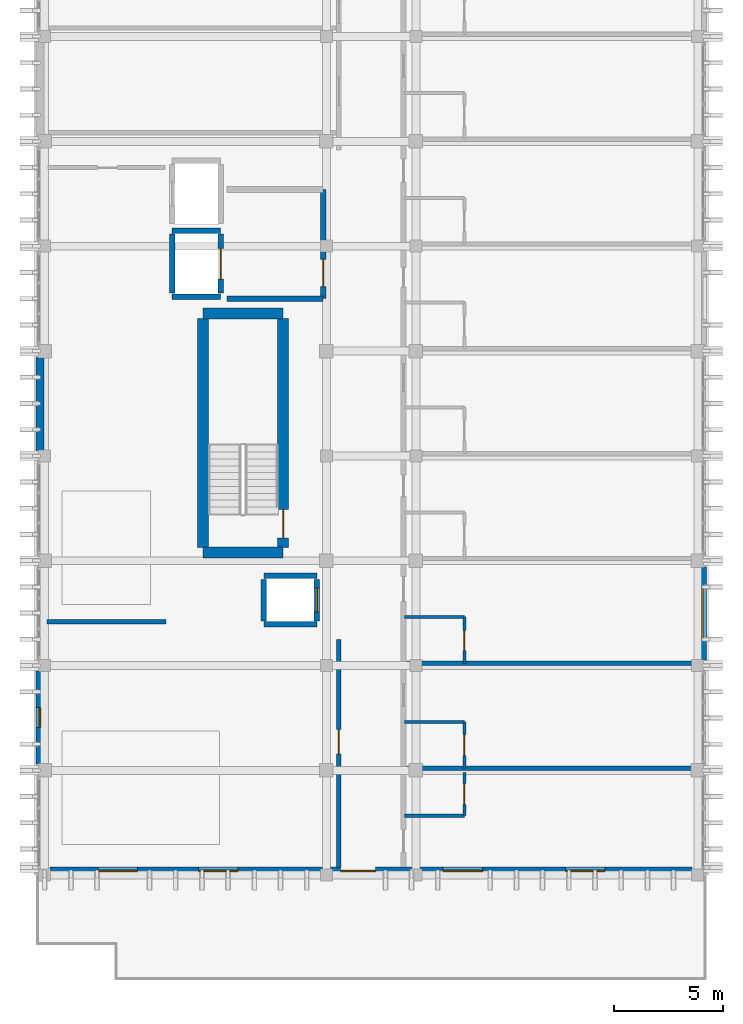
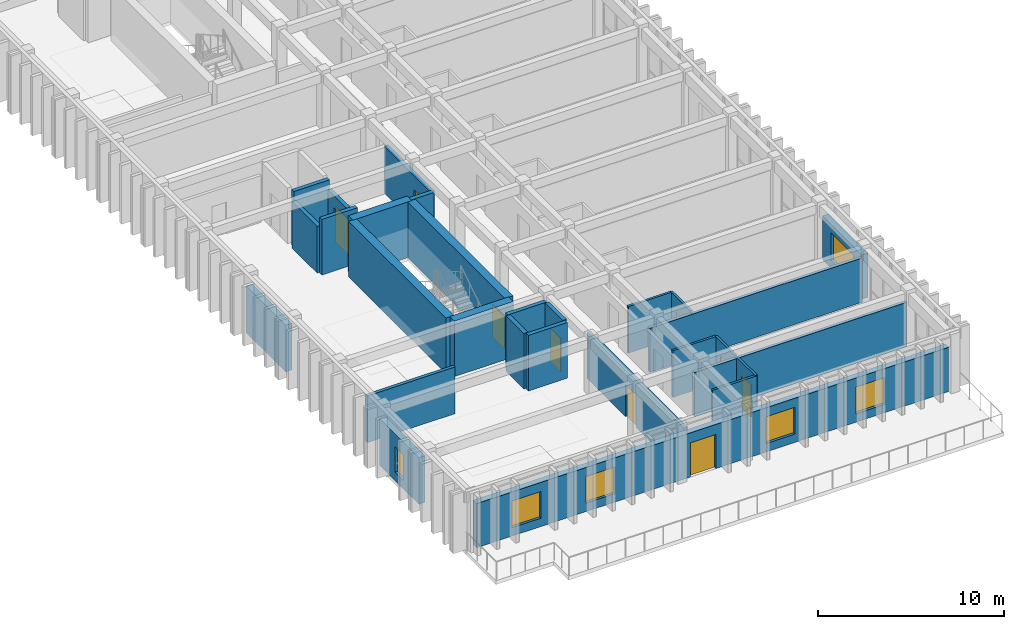
# One storey, part 41 of 50: 28 walls, 9 doors, 6 windows, 15 openings.
"""IFC4 building model written with IfcOpenShell, lengths in metres."""

from ifc_helpers import new_model, si_unit, direction, frame, frame_2d, origin, place, context, subcontext, project, spatial, rectangle, extrude, material, layer, layer_set, type_object, element, fill, save


model = new_model("IFC4")

# Units and contexts
model_context = context("Model", 3, precision=1e-05, world=origin(), true_north=direction((0.0, 1.0)))
body_context = subcontext(model_context, "Body", "Model", "MODEL_VIEW")
ifc_project = project(units=[si_unit("LENGTHUNIT", "METRE"), si_unit("AREAUNIT", "SQUARE_METRE"), si_unit("VOLUMEUNIT", "CUBIC_METRE"), si_unit("PLANEANGLEUNIT", "RADIAN"), si_unit("MASSUNIT", "GRAM", prefix="KILO")], contexts=[model_context])

# Site, building, storey
site_placement = place(None, origin())
site = spatial("IfcSite", under=ifc_project, at=site_placement, CompositionType="ELEMENT")
building_placement = place(site_placement, origin())
building = spatial("IfcBuilding", under=site, at=building_placement, Name="Nakhvara Creek Congress Hotel", CompositionType="ELEMENT")
storey_placement = place(building_placement, frame((0.0, 0.0, 42.60009765625)))
storey = spatial("IfcBuildingStorey", under=building, at=storey_placement, Name="L10", CompositionType="ELEMENT", Elevation=42.60009765625)

# Walls
ifc_material_1 = material(Name="Concrete C50/60", Category="concrete")
ifc_layer_1 = layer(ifc_material_1, 0.5)
ifc_layer_set_1 = layer_set([ifc_layer_1], Name="Concrete C50/60")
wall_type_1 = type_object("IfcWallType", Name="W-CORE-500", PredefinedType="SHEAR", material=ifc_layer_set_1)
for number, where, z_axis, x_axis, name in (
    (1, (156.699951171875, 77.179931640625, 0.0), (0.0, 0.0, 1.0), (1.0, 0.0, 0.0), "Core Shear Wall WS01-CWALL-L10-0217"),
    (2, (156.699951171875, 88.1201171875, 0.0), (0.0, 0.0, 1.0), (1.0, 0.0, 0.0), "Core Shear Wall WS01-CWALL-L10-0218"),
):
    element("IfcWall", number, at=place(storey_placement, frame(where, z_axis=z_axis, x_axis=x_axis)), inside=storey, type_object=wall_type_1, Name=name, PredefinedType="SHEAR", context=body_context, shape_type="SweptSolid", body=[
        extrude(rectangle(XDim=3.670166015625, YDim=0.5, at=frame_2d((1.8349609375, 0.0))), origin(), (0.0, 0.0, 1.0), 3.659912109375),
    ])
wall_1_placement = place(storey_placement, frame((156.699951171875, 77.39990234375, 0.0), z_axis=(0.0, 0.0, 1.0), x_axis=(0.0, 1.0, 0.0)))
element("IfcWall", 3, at=wall_1_placement, inside=storey, type_object=wall_type_1, Name="Core Shear Wall WS01-CWALL-L10-0219", PredefinedType="SHEAR", context=body_context, shape_type="SweptSolid", body=[
    extrude(rectangle(XDim=10.5, YDim=0.5, at=frame_2d((5.25, 0.0))), origin(), (0.0, 0.0, 1.0), 3.659912109375),
])

# Wall, opening, door
wall_2_placement = place(storey_placement, frame((160.3701171875, 77.39990234375, 0.0), z_axis=(0.0, 0.0, 1.0), x_axis=(0.0, 1.0, 0.0)))
wall_2 = element("IfcWall", 4, at=wall_2_placement, inside=storey, type_object=wall_type_1, Name="Core Shear Wall WS01-CWALL-L10-0220", PredefinedType="SHEAR", context=body_context, shape_type="SweptSolid", body=[
    extrude(rectangle(XDim=10.5, YDim=0.5, at=frame_2d((5.25, 0.0))), origin(), (0.0, 0.0, 1.0), 3.659912109375),
])
opening_1_placement = place(wall_2_placement, frame((0.449951171875, 0.0, 0.0)))
opening_1 = element("IfcOpeningElement", 5, at=opening_1_placement, cuts=wall_2, Name="Opening FD04", PredefinedType="OPENING", context=body_context, shape_type="SweptSolid", body=[
    extrude(rectangle(XDim=1.300048828125, YDim=2.14990234375, at=frame_2d((0.64990234375, 1.074951171875))), frame((0.0, 0.261962890625, 0.0), z_axis=(0.0, -1.0, 0.0), x_axis=(1.0, 0.0, 0.0)), (0.0, 0.0, 1.0), 0.52392578125),
])
ifc_material_2 = material(Name="Powder-coated steel fire door", Category="steel")
door_type_1 = type_object("IfcDoorType", Name="DT-STAIR-130", OperationType="NOTDEFINED", PredefinedType="DOOR", material=ifc_material_2)
door_1_placement = place(opening_1_placement, frame((1.300048828125, 0.0, 0.0), z_axis=(0.0, 0.0, 1.0), x_axis=(-1.0, 0.0, 0.0)))
door_1 = element("IfcDoor", 6, at=door_1_placement, inside=storey, type_object=door_type_1, Name="Stair Exit Door ST01-L10", OperationType="SINGLE_SWING_LEFT", OverallHeight=2.14990234375, OverallWidth=1.300048828125, PredefinedType="DOOR", context=body_context, shape_type="SweptSolid", body=[
    extrude(rectangle(XDim=1.300048828125, YDim=2.14990234375, at=frame_2d((0.64990234375, 1.074951171875))), frame((0.0, 0.02490234375, 0.0), z_axis=(0.0, -1.0, 0.0), x_axis=(1.0, 0.0, 0.0)), (0.0, 0.0, 1.0), 0.050048828125),
])
fill(opening_1, door_1)

ifc_material_3 = material(Name="Gypsum acoustic board on steel stud", Category="steel")
ifc_layer_2 = layer(ifc_material_3, 0.219970703125)
ifc_layer_set_2 = layer_set([ifc_layer_2], Name="Gypsum acoustic board on steel stud")
wall_type_2 = type_object("IfcWallType", Name="W-CORR-220", PredefinedType="PARTITIONING", material=ifc_layer_set_2)
wall_3_placement = place(storey_placement, frame((162.919921875, 62.75, 0.0), z_axis=(0.0, 0.0, 1.0), x_axis=(0.0, 1.0, 0.0)))
wall_3 = element("IfcWall", 7, at=wall_3_placement, inside=storey, type_object=wall_type_2, Name="Interior Wall WP11-IW-L10-0701", PredefinedType="PARTITIONING", context=body_context, shape_type="SweptSolid", body=[
    extrude(rectangle(XDim=10.449951171875, YDim=0.219970703125, at=frame_2d((5.22509765625, 0.0))), origin(), (0.0, 0.0, 1.0), 3.072021484375),
])
opening_2_placement = place(wall_3_placement, frame((5.199951171875, 0.0, 0.0)))
opening_2 = element("IfcOpeningElement", 8, at=opening_2_placement, cuts=wall_3, Name="Opening BD01", PredefinedType="OPENING", context=body_context, shape_type="SweptSolid", body=[
    extrude(rectangle(XDim=1.1201171875, YDim=2.14990234375, at=frame_2d((0.56005859375, 1.074951171875))), frame((0.0, 0.1220703125, 0.0), z_axis=(0.0, -1.0, 0.0), x_axis=(1.0, 0.0, 0.0)), (0.0, 0.0, 1.0), 0.243896484375),
])
ifc_material_4 = material(Name="Hardwood-faced service fire door", Category="wood")
door_type_2 = type_object("IfcDoorType", Name="DT-HK-112", OperationType="NOTDEFINED", PredefinedType="DOOR", material=ifc_material_4)
door_2_placement = place(opening_2_placement, frame((1.1201171875, 0.0, 0.0), z_axis=(0.0, 0.0, 1.0), x_axis=(-1.0, 0.0, 0.0)))
door_2 = element("IfcDoor", 9, at=door_2_placement, inside=storey, type_object=door_type_2, Name="Interior Door BD01-0510", OperationType="SINGLE_SWING_LEFT", OverallHeight=2.14990234375, OverallWidth=1.1201171875, PredefinedType="DOOR", context=body_context, shape_type="SweptSolid", body=[
    extrude(rectangle(XDim=1.1201171875, YDim=2.14990234375, at=frame_2d((0.56005859375, 1.074951171875))), frame((0.0, 0.02490234375, 0.0), z_axis=(0.0, -1.0, 0.0), x_axis=(1.0, 0.0, 0.0)), (0.0, 0.0, 1.0), 0.050048828125),
])
fill(opening_2, door_2)

ifc_material_5 = material(Name="Moisture-resistant gypsum board partition")
ifc_layer_3 = layer(ifc_material_5, 0.139892578125)
ifc_layer_set_3 = layer_set([ifc_layer_3], Name="Moisture-resistant gypsum board partition")
wall_type_3 = type_object("IfcWallType", Name="W-ENS-140", PredefinedType="PARTITIONING", material=ifc_layer_set_3)
wall_4_placement = place(storey_placement, frame((168.669921875, 65.1220703125, 0.0), z_axis=(0.0, 0.0, 1.0), x_axis=(0.0, 1.0, 0.0)))
wall_4 = element("IfcWall", 10, at=wall_4_placement, inside=storey, type_object=wall_type_3, Name="Interior Wall WP15-IW-L10-0712", PredefinedType="PARTITIONING", context=body_context, shape_type="SweptSolid", body=[
    extrude(rectangle(XDim=1.97802734375, YDim=0.139892578125, at=frame_2d((0.989013671875, 0.0))), origin(), (0.0, 0.0, 1.0), 3.072021484375),
])
opening_3_placement = place(wall_4_placement, frame((0.513916015625, 0.0, 0.0)))
opening_3 = element("IfcOpeningElement", 11, at=opening_3_placement, cuts=wall_4, Name="Opening ID02", PredefinedType="OPENING", context=body_context, shape_type="SweptSolid", body=[
    extrude(rectangle(XDim=0.9599609375, YDim=2.1201171875, at=frame_2d((0.47998046875, 1.06005859375))), frame((0.0, 0.08203125, 0.0), z_axis=(0.0, -1.0, 0.0), x_axis=(1.0, 0.0, 0.0)), (0.0, 0.0, 1.0), 0.163818359375),
])
ifc_material_6 = material(Name="Moisture-resistant walnut timber door", Category="wood")
door_type_3 = type_object("IfcDoorType", Name="DT-ENS-096", OperationType="NOTDEFINED", PredefinedType="DOOR", material=ifc_material_6)
door_3_placement = place(opening_3_placement, frame((0.9599609375, 0.0, 0.0), z_axis=(0.0, 0.0, 1.0), x_axis=(-1.0, 0.0, 0.0)))
door_3 = element("IfcDoor", 12, at=door_3_placement, inside=storey, type_object=door_type_3, Name="Interior Door ID02-0515", OperationType="SINGLE_SWING_RIGHT", OverallHeight=2.1201171875, OverallWidth=0.9599609375, PredefinedType="DOOR", context=body_context, shape_type="SweptSolid", body=[
    extrude(rectangle(XDim=0.9599609375, YDim=2.1201171875, at=frame_2d((0.47998046875, 1.06005859375))), frame((0.0, 0.02490234375, 0.0), z_axis=(0.0, -1.0, 0.0), x_axis=(1.0, 0.0, 0.0)), (0.0, 0.0, 1.0), 0.050048828125),
])
fill(opening_3, door_3)

# Wall
wall_5_placement = place(storey_placement, frame((165.919921875, 65.1220703125, 0.0), z_axis=(0.0, 0.0, 1.0), x_axis=(1.0, 0.0, 0.0)))
element("IfcWall", 13, at=wall_5_placement, inside=storey, type_object=wall_type_3, Name="Interior Wall WP15-IW-L10-0713", PredefinedType="PARTITIONING", context=body_context, shape_type="SweptSolid", body=[
    extrude(rectangle(XDim=2.75, YDim=0.139892578125, at=frame_2d((1.375, 0.0))), origin(), (0.0, 0.0, 1.0), 3.072021484375),
])

# Wall, opening, door
wall_6_placement = place(storey_placement, frame((168.669921875, 67.300048828125, 0.0), z_axis=(0.0, 0.0, 1.0), x_axis=(0.0, 1.0, 0.0)))
wall_6 = element("IfcWall", 14, at=wall_6_placement, inside=storey, type_object=wall_type_3, Name="Interior Wall WP15-IW-L10-0715", PredefinedType="PARTITIONING", context=body_context, shape_type="SweptSolid", body=[
    extrude(rectangle(XDim=2.115966796875, YDim=0.139892578125, at=frame_2d((1.05810546875, 0.0))), origin(), (0.0, 0.0, 1.0), 3.072021484375),
])
opening_4_placement = place(wall_6_placement, frame((0.5830078125, 0.0, 0.0)))
opening_4 = element("IfcOpeningElement", 15, at=opening_4_placement, cuts=wall_6, Name="Opening ID02", PredefinedType="OPENING", context=body_context, shape_type="SweptSolid", body=[
    extrude(rectangle(XDim=0.9599609375, YDim=2.1201171875, at=frame_2d((0.47998046875, 1.06005859375))), frame((0.0, 0.08203125, 0.0), z_axis=(0.0, -1.0, 0.0), x_axis=(1.0, 0.0, 0.0)), (0.0, 0.0, 1.0), 0.163818359375),
])
door_4_placement = place(opening_4_placement, frame((0.9599609375, 0.0, 0.0), z_axis=(0.0, 0.0, 1.0), x_axis=(-1.0, 0.0, 0.0)))
door_4 = element("IfcDoor", 16, at=door_4_placement, inside=storey, type_object=door_type_3, Name="Interior Door ID02-0517", OperationType="SINGLE_SWING_RIGHT", OverallHeight=2.1201171875, OverallWidth=0.9599609375, PredefinedType="DOOR", context=body_context, shape_type="SweptSolid", body=[
    extrude(rectangle(XDim=0.9599609375, YDim=2.1201171875, at=frame_2d((0.47998046875, 1.06005859375))), frame((0.0, 0.02490234375, 0.0), z_axis=(0.0, -1.0, 0.0), x_axis=(1.0, 0.0, 0.0)), (0.0, 0.0, 1.0), 0.050048828125),
])
fill(opening_4, door_4)

# Wall
wall_7_placement = place(storey_placement, frame((165.919921875, 69.416015625, 0.0), z_axis=(0.0, 0.0, 1.0), x_axis=(1.0, 0.0, 0.0)))
element("IfcWall", 17, at=wall_7_placement, inside=storey, type_object=wall_type_3, Name="Interior Wall WP15-IW-L10-0716", PredefinedType="PARTITIONING", context=body_context, shape_type="SweptSolid", body=[
    extrude(rectangle(XDim=2.75, YDim=0.139892578125, at=frame_2d((1.375, 0.0))), origin(), (0.0, 0.0, 1.0), 3.072021484375),
])

# Wall, opening, door
wall_8_placement = place(storey_placement, frame((168.669921875, 72.10009765625, 0.0), z_axis=(0.0, 0.0, 1.0), x_axis=(0.0, 1.0, 0.0)))
wall_8 = element("IfcWall", 18, at=wall_8_placement, inside=storey, type_object=wall_type_3, Name="Interior Wall WP15-IW-L10-0718", PredefinedType="PARTITIONING", context=body_context, shape_type="SweptSolid", body=[
    extrude(rectangle(XDim=2.115966796875, YDim=0.139892578125, at=frame_2d((1.05810546875, 0.0))), origin(), (0.0, 0.0, 1.0), 3.072021484375),
])
opening_5_placement = place(wall_8_placement, frame((0.5830078125, 0.0, 0.0)))
opening_5 = element("IfcOpeningElement", 19, at=opening_5_placement, cuts=wall_8, Name="Opening ID01", PredefinedType="OPENING", context=body_context, shape_type="SweptSolid", body=[
    extrude(rectangle(XDim=0.919921875, YDim=2.10009765625, at=frame_2d((0.4599609375, 1.050048828125))), frame((0.0, 0.08203125, 0.0), z_axis=(0.0, -1.0, 0.0), x_axis=(1.0, 0.0, 0.0)), (0.0, 0.0, 1.0), 0.163818359375),
])
door_type_4 = type_object("IfcDoorType", Name="DT-ENS-092", OperationType="NOTDEFINED", PredefinedType="DOOR", material=ifc_material_6)
door_5_placement = place(opening_5_placement, frame((0.919921875, 0.0, 0.0), z_axis=(0.0, 0.0, 1.0), x_axis=(-1.0, 0.0, 0.0)))
door_5 = element("IfcDoor", 20, at=door_5_placement, inside=storey, type_object=door_type_4, Name="Interior Door ID01-0519", OperationType="SINGLE_SWING_RIGHT", OverallHeight=2.10009765625, OverallWidth=0.919921875, PredefinedType="DOOR", context=body_context, shape_type="SweptSolid", body=[
    extrude(rectangle(XDim=0.919921875, YDim=2.10009765625, at=frame_2d((0.4599609375, 1.050048828125))), frame((0.0, 0.02490234375, 0.0), z_axis=(0.0, -1.0, 0.0), x_axis=(1.0, 0.0, 0.0)), (0.0, 0.0, 1.0), 0.050048828125),
])
fill(opening_5, door_5)

# Wall
wall_9_placement = place(storey_placement, frame((165.919921875, 74.216064453125, 0.0), z_axis=(0.0, 0.0, 1.0), x_axis=(1.0, 0.0, 0.0)))
element("IfcWall", 21, at=wall_9_placement, inside=storey, type_object=wall_type_3, Name="Interior Wall WP15-IW-L10-0719", PredefinedType="PARTITIONING", context=body_context, shape_type="SweptSolid", body=[
    extrude(rectangle(XDim=2.75, YDim=0.139892578125, at=frame_2d((1.375, 0.0))), origin(), (0.0, 0.0, 1.0), 3.072021484375),
])

# Wall, openings, door, windows
ifc_material_7 = material(Name="Honed pale Omani limestone cladding", Category="masonry")
ifc_layer_4 = layer(ifc_material_7, 0.050048828125)
ifc_material_8 = material(Name="Mineral wool thermal insulation")
ifc_layer_5 = layer(ifc_material_8, 0.110107421875)
ifc_material_9 = material(Name="Precast concrete C40/50", Category="concrete")
ifc_layer_6 = layer(ifc_material_9, 0.219970703125)
ifc_layer_set_4 = layer_set([ifc_layer_4, ifc_layer_5, ifc_layer_6], Name="Precast concrete C40/50")
wall_type_4 = type_object("IfcWallType", Name="W-EXT-380", PredefinedType="SOLIDWALL", material=ifc_layer_set_4)
wall_10_placement = place(storey_placement, frame((179.10009765625, 62.590087890625, 0.0), z_axis=(0.0, 0.0, 1.0), x_axis=(-1.0, 0.0, 0.0)))
wall_10 = element("IfcWall", 22, at=wall_10_placement, inside=storey, type_object=wall_type_4, Name="Exterior Wall WE03-EW-L10-0212", PredefinedType="SOLIDWALL", context=body_context, shape_type="SweptSolid", body=[
    extrude(rectangle(XDim=29.400146484375, YDim=0.3798828125, at=frame_2d((14.7001953125, 0.0))), origin(), (0.0, 0.0, 1.0), 2.90185546875),
])
opening_6_placement = place(wall_10_placement, frame((14.5, 0.0, 0.0)))
opening_6 = element("IfcOpeningElement", 23, at=opening_6_placement, cuts=wall_10, Name="Opening TDL10S", PredefinedType="OPENING", context=body_context, shape_type="SweptSolid", body=[
    extrude(rectangle(XDim=1.60009765625, YDim=2.25, at=frame_2d((0.800048828125, 1.125))), frame((0.0, 0.201904296875, 0.0), z_axis=(0.0, -1.0, 0.0), x_axis=(1.0, 0.0, 0.0)), (0.0, 0.0, 1.0), 0.40380859375),
])
opening_7_placement = place(wall_10_placement, frame((4.0, 0.0, 0.550048828125)))
opening_7 = element("IfcOpeningElement", 24, at=opening_7_placement, cuts=wall_10, Name="Opening WN0232", PredefinedType="OPENING", context=body_context, shape_type="SweptSolid", body=[
    extrude(rectangle(XDim=1.800048828125, YDim=1.760009765625, at=frame_2d((0.89990234375, 0.8798828125))), frame((0.0, 0.201904296875, 0.0), z_axis=(0.0, -1.0, 0.0), x_axis=(1.0, 0.0, 0.0)), (0.0, 0.0, 1.0), 0.40380859375),
])
opening_8_placement = place(wall_10_placement, frame((9.60009765625, 0.0, 0.550048828125)))
opening_8 = element("IfcOpeningElement", 25, at=opening_8_placement, cuts=wall_10, Name="Opening WN0233", PredefinedType="OPENING", context=body_context, shape_type="SweptSolid", body=[
    extrude(rectangle(XDim=1.800048828125, YDim=1.760009765625, at=frame_2d((0.89990234375, 0.8798828125))), frame((0.0, 0.201904296875, 0.0), z_axis=(0.0, -1.0, 0.0), x_axis=(1.0, 0.0, 0.0)), (0.0, 0.0, 1.0), 0.40380859375),
])
opening_9_placement = place(wall_10_placement, frame((20.800048828125, 0.0, 0.550048828125)))
opening_9 = element("IfcOpeningElement", 26, at=opening_9_placement, cuts=wall_10, Name="Opening WN0234", PredefinedType="OPENING", context=body_context, shape_type="SweptSolid", body=[
    extrude(rectangle(XDim=1.800048828125, YDim=1.760009765625, at=frame_2d((0.89990234375, 0.8798828125))), frame((0.0, 0.201904296875, 0.0), z_axis=(0.0, -1.0, 0.0), x_axis=(1.0, 0.0, 0.0)), (0.0, 0.0, 1.0), 0.40380859375),
])
opening_10_placement = place(wall_10_placement, frame((25.39990234375, 0.0, 0.550048828125)))
opening_10 = element("IfcOpeningElement", 27, at=opening_10_placement, cuts=wall_10, Name="Opening WN0235", PredefinedType="OPENING", context=body_context, shape_type="SweptSolid", body=[
    extrude(rectangle(XDim=1.800048828125, YDim=1.760009765625, at=frame_2d((0.89990234375, 0.8798828125))), frame((0.0, 0.201904296875, 0.0), z_axis=(0.0, -1.0, 0.0), x_axis=(1.0, 0.0, 0.0)), (0.0, 0.0, 1.0), 0.40380859375),
])
ifc_material_10 = material(Name="Bronze-anodised aluminium and laminated low-E glass", Category="aluminium")
door_type_5 = type_object("IfcDoorType", Name="DT-EXT-TER160", OperationType="DOUBLE_DOOR_SINGLE_SWING", PredefinedType="DOOR", material=ifc_material_10)
door_6_placement = place(opening_6_placement, origin())
door_6 = element("IfcDoor", 28, at=door_6_placement, inside=storey, type_object=door_type_5, Name="Creekside Setback Terrace Door TDL10S", OperationType="DOUBLE_DOOR_SINGLE_SWING", OverallHeight=2.25, OverallWidth=1.60009765625, PredefinedType="DOOR", context=body_context, shape_type="SweptSolid", body=[
    extrude(rectangle(XDim=1.60009765625, YDim=2.25, at=frame_2d((0.800048828125, 1.125))), frame((0.0, 0.02490234375, 0.0), z_axis=(0.0, -1.0, 0.0), x_axis=(1.0, 0.0, 0.0)), (0.0, 0.0, 1.0), 0.050048828125),
])
fill(opening_6, door_6)
ifc_material_11 = material(Name="Thermally broken bronze-anodised aluminium and double-silver low-E insulated glass", Category="aluminium")
window_type_1 = type_object("IfcWindowType", Name="WN-LAN-180X225", PartitioningType="SINGLE_PANEL", PredefinedType="WINDOW", material=ifc_material_11)
window_1_placement = place(opening_7_placement, origin())
window_1 = element("IfcWindow", 29, at=window_1_placement, inside=storey, type_object=window_type_1, Name="Facade Window WN0232", OverallHeight=1.760009765625, OverallWidth=1.800048828125, PartitioningType="SINGLE_PANEL", PredefinedType="WINDOW", context=body_context, shape_type="SweptSolid", body=[
    extrude(rectangle(XDim=1.800048828125, YDim=1.760009765625, at=frame_2d((0.89990234375, 0.8798828125))), frame((0.0, 0.030029296875, 0.0), z_axis=(0.0, -1.0, 0.0), x_axis=(1.0, 0.0, 0.0)), (0.0, 0.0, 1.0), 0.06005859375),
])
fill(opening_7, window_1)
window_2_placement = place(opening_8_placement, origin())
window_2 = element("IfcWindow", 30, at=window_2_placement, inside=storey, type_object=window_type_1, Name="Facade Window WN0233", OverallHeight=1.760009765625, OverallWidth=1.800048828125, PartitioningType="SINGLE_PANEL", PredefinedType="WINDOW", context=body_context, shape_type="SweptSolid", body=[
    extrude(rectangle(XDim=1.800048828125, YDim=1.760009765625, at=frame_2d((0.89990234375, 0.8798828125))), frame((0.0, 0.030029296875, 0.0), z_axis=(0.0, -1.0, 0.0), x_axis=(1.0, 0.0, 0.0)), (0.0, 0.0, 1.0), 0.06005859375),
])
fill(opening_8, window_2)
window_3_placement = place(opening_9_placement, origin())
window_3 = element("IfcWindow", 31, at=window_3_placement, inside=storey, type_object=window_type_1, Name="Facade Window WN0234", OverallHeight=1.760009765625, OverallWidth=1.800048828125, PartitioningType="SINGLE_PANEL", PredefinedType="WINDOW", context=body_context, shape_type="SweptSolid", body=[
    extrude(rectangle(XDim=1.800048828125, YDim=1.760009765625, at=frame_2d((0.89990234375, 0.8798828125))), frame((0.0, 0.030029296875, 0.0), z_axis=(0.0, -1.0, 0.0), x_axis=(1.0, 0.0, 0.0)), (0.0, 0.0, 1.0), 0.06005859375),
])
fill(opening_9, window_3)
window_4_placement = place(opening_10_placement, origin())
window_4 = element("IfcWindow", 32, at=window_4_placement, inside=storey, type_object=window_type_1, Name="Facade Window WN0235", OverallHeight=1.760009765625, OverallWidth=1.800048828125, PartitioningType="SINGLE_PANEL", PredefinedType="WINDOW", context=body_context, shape_type="SweptSolid", body=[
    extrude(rectangle(XDim=1.800048828125, YDim=1.760009765625, at=frame_2d((0.89990234375, 0.8798828125))), frame((0.0, 0.030029296875, 0.0), z_axis=(0.0, -1.0, 0.0), x_axis=(1.0, 0.0, 0.0)), (0.0, 0.0, 1.0), 0.06005859375),
])
fill(opening_10, window_4)

# Wall, opening, window
wall_11_placement = place(storey_placement, frame((149.239990234375, 67.485107421875, 0.0), z_axis=(0.0, 0.0, 1.0), x_axis=(0.0, 1.0, 0.0)))
wall_11 = element("IfcWall", 33, at=wall_11_placement, inside=storey, type_object=wall_type_4, Name="Exterior Wall WE03-EW-L10-0213", PredefinedType="SOLIDWALL", context=body_context, shape_type="SweptSolid", body=[
    extrude(rectangle(XDim=4.264892578125, YDim=0.3798828125, at=frame_2d((2.13232421875, 0.0))), origin(), (0.0, 0.0, 1.0), 3.072021484375),
])
opening_11_placement = place(wall_11_placement, frame((1.6826171875, 0.0, 0.550048828125)))
opening_11 = element("IfcOpeningElement", 34, at=opening_11_placement, cuts=wall_11, Name="Opening WN0236", PredefinedType="OPENING", context=body_context, shape_type="SweptSolid", body=[
    extrude(rectangle(XDim=0.89990234375, YDim=1.679931640625, at=frame_2d((0.449951171875, 0.83984375))), frame((0.0, 0.201904296875, 0.0), z_axis=(0.0, -1.0, 0.0), x_axis=(1.0, 0.0, 0.0)), (0.0, 0.0, 1.0), 0.40380859375),
])
window_type_2 = type_object("IfcWindowType", Name="WN-LAN-090X210", PartitioningType="SINGLE_PANEL", PredefinedType="WINDOW", material=ifc_material_11)
window_5_placement = place(opening_11_placement, origin())
window_5 = element("IfcWindow", 35, at=window_5_placement, inside=storey, type_object=window_type_2, Name="Facade Window WN0236", OverallHeight=1.679931640625, OverallWidth=0.89990234375, PartitioningType="SINGLE_PANEL", PredefinedType="WINDOW", context=body_context, shape_type="SweptSolid", body=[
    extrude(rectangle(XDim=0.89990234375, YDim=1.679931640625, at=frame_2d((0.449951171875, 0.83984375))), frame((0.0, 0.030029296875, 0.0), z_axis=(0.0, -1.0, 0.0), x_axis=(1.0, 0.0, 0.0)), (0.0, 0.0, 1.0), 0.06005859375),
])
fill(opening_11, window_5)

wall_12_placement = place(storey_placement, frame((179.56005859375, 76.514892578125, 0.0), z_axis=(0.0, 0.0, 1.0), x_axis=(0.0, -1.0, 0.0)))
wall_12 = element("IfcWall", 36, at=wall_12_placement, inside=storey, type_object=wall_type_4, Name="Exterior Wall WE03-EW-L10-0214", PredefinedType="SOLIDWALL", context=body_context, shape_type="SweptSolid", body=[
    extrude(rectangle(XDim=4.264892578125, YDim=0.3798828125, at=frame_2d((2.13232421875, 0.0))), origin(), (0.0, 0.0, 1.0), 2.90185546875),
])
opening_12_placement = place(wall_12_placement, frame((0.9326171875, 0.0, 0.550048828125)))
opening_12 = element("IfcOpeningElement", 37, at=opening_12_placement, cuts=wall_12, Name="Opening WN0237", PredefinedType="OPENING", context=body_context, shape_type="SweptSolid", body=[
    extrude(rectangle(XDim=2.39990234375, YDim=1.800048828125, at=frame_2d((1.199951171875, 0.89990234375))), frame((0.0, 0.201904296875, 0.0), z_axis=(0.0, -1.0, 0.0), x_axis=(1.0, 0.0, 0.0)), (0.0, 0.0, 1.0), 0.40380859375),
])
window_type_3 = type_object("IfcWindowType", Name="WN-LAN-240X240", PartitioningType="SINGLE_PANEL", PredefinedType="WINDOW", material=ifc_material_11)
window_6_placement = place(opening_12_placement, origin())
window_6 = element("IfcWindow", 38, at=window_6_placement, inside=storey, type_object=window_type_3, Name="Facade Window WN0237", OverallHeight=1.800048828125, OverallWidth=2.39990234375, PartitioningType="SINGLE_PANEL", PredefinedType="WINDOW", context=body_context, shape_type="SweptSolid", body=[
    extrude(rectangle(XDim=2.39990234375, YDim=1.800048828125, at=frame_2d((1.199951171875, 0.89990234375))), frame((0.0, 0.030029296875, 0.0), z_axis=(0.0, -1.0, 0.0), x_axis=(1.0, 0.0, 0.0)), (0.0, 0.0, 1.0), 0.06005859375),
])
fill(opening_12, window_6)

# Wall
wall_13_placement = place(storey_placement, frame((149.239990234375, 81.85009765625, 0.0), z_axis=(0.0, 0.0, 1.0), x_axis=(0.0, 1.0, 0.0)))
element("IfcWall", 39, at=wall_13_placement, inside=storey, type_object=wall_type_4, Name="Exterior Wall WE03-EW-L10-0215", PredefinedType="SOLIDWALL", context=body_context, shape_type="SweptSolid", body=[
    extrude(rectangle(XDim=4.264892578125, YDim=0.3798828125, at=frame_2d((2.13232421875, 0.0))), origin(), (0.0, 0.0, 1.0), 3.072021484375),
])

# Wall, opening, door
ifc_material_12 = material(Name="Concrete C40/50", Category="concrete")
ifc_layer_7 = layer(ifc_material_12, 0.260009765625)
ifc_layer_set_5 = layer_set([ifc_layer_7], Name="Concrete C40/50")
wall_type_5 = type_object("IfcWallType", Name="W-FFL-260", PredefinedType="SOLIDWALL", material=ifc_layer_set_5)
wall_14_placement = place(storey_placement, frame((162.199951171875, 88.800048828125, 0.0), z_axis=(0.0, 0.0, 1.0), x_axis=(0.0, 1.0, 0.0)))
wall_14 = element("IfcWall", 40, at=wall_14_placement, inside=storey, type_object=wall_type_5, Name="Core Shear Wall WI03-CWALL-L10-0232", PredefinedType="SOLIDWALL", context=body_context, shape_type="SweptSolid", body=[
    extrude(rectangle(XDim=5.0, YDim=0.260009765625, at=frame_2d((2.5, 0.0))), origin(), (0.0, 0.0, 1.0), 3.072021484375),
])
opening_13_placement = place(wall_14_placement, frame((0.550048828125, 0.0, 0.0)))
opening_13 = element("IfcOpeningElement", 41, at=opening_13_placement, cuts=wall_14, Name="Opening FD05", PredefinedType="OPENING", context=body_context, shape_type="SweptSolid", body=[
    extrude(rectangle(XDim=1.25, YDim=2.14990234375, at=frame_2d((0.625, 1.074951171875))), frame((0.0, 0.14208984375, 0.0), z_axis=(0.0, -1.0, 0.0), x_axis=(1.0, 0.0, 0.0)), (0.0, 0.0, 1.0), 0.283935546875),
])
ifc_material_13 = material(Name="Hardwood-veneered steel fire door", Category="steel")
door_type_6 = type_object("IfcDoorType", Name="DT-FFL-125", OperationType="NOTDEFINED", PredefinedType="DOOR", material=ifc_material_13)
door_7_placement = place(opening_13_placement, origin())
door_7 = element("IfcDoor", 42, at=door_7_placement, inside=storey, type_object=door_type_6, Name="Firefighting Lobby Door C1-L10", OperationType="DOUBLE_DOOR_SINGLE_SWING", OverallHeight=2.14990234375, OverallWidth=1.25, PredefinedType="DOOR", context=body_context, shape_type="SweptSolid", body=[
    extrude(rectangle(XDim=1.25, YDim=2.14990234375, at=frame_2d((0.625, 1.074951171875))), frame((0.0, 0.02490234375, 0.0), z_axis=(0.0, -1.0, 0.0), x_axis=(1.0, 0.0, 0.0)), (0.0, 0.0, 1.0), 0.050048828125),
])
fill(opening_13, door_7)

# Walls
wall_15_placement = place(storey_placement, frame((157.800048828125, 88.800048828125, 0.0), z_axis=(0.0, 0.0, 1.0), x_axis=(1.0, 0.0, 0.0)))
element("IfcWall", 43, at=wall_15_placement, inside=storey, type_object=wall_type_5, Name="Core Shear Wall WI03-CWALL-L10-0233", PredefinedType="SOLIDWALL", context=body_context, shape_type="SweptSolid", body=[
    extrude(rectangle(XDim=4.39990234375, YDim=0.260009765625, at=frame_2d((2.199951171875, 0.0))), origin(), (0.0, 0.0, 1.0), 3.072021484375),
])
ifc_layer_8 = layer(ifc_material_3, 0.199951171875)
ifc_layer_set_6 = layer_set([ifc_layer_8], Name="Gypsum acoustic board on steel stud")
wall_type_6 = type_object("IfcWallType", Name="W-PART-200", PredefinedType="PARTITIONING", material=ifc_layer_set_6)
wall_16_placement = place(storey_placement, frame((149.550048828125, 74.0, 0.0), z_axis=(0.0, 0.0, 1.0), x_axis=(1.0, 0.0, 0.0)))
element("IfcWall", 44, at=wall_16_placement, inside=storey, type_object=wall_type_6, Name="Interior Wall WP12-IW-L10-0709", PredefinedType="PARTITIONING", context=body_context, shape_type="SweptSolid", body=[
    extrude(rectangle(XDim=5.449951171875, YDim=0.199951171875, at=frame_2d((2.72509765625, 0.0))), origin(), (0.0, 0.0, 1.0), 3.072021484375),
])
for number, where, z_axis, x_axis, name in (
    (45, (166.02001953125, 67.300048828125, 0.0), (0.0, 0.0, 1.0), (1.0, 0.0, 0.0), "Interior Wall WP12-IW-L10-0714"),
    (46, (166.02001953125, 72.10009765625, 0.0), (0.0, 0.0, 1.0), (1.0, 0.0, 0.0), "Interior Wall WP12-IW-L10-0717"),
):
    element("IfcWall", number, at=place(storey_placement, frame(where, z_axis=z_axis, x_axis=x_axis)), inside=storey, type_object=wall_type_6, Name=name, PredefinedType="PARTITIONING", context=body_context, shape_type="SweptSolid", body=[
        extrude(rectangle(XDim=13.22998046875, YDim=0.199951171875, at=frame_2d((6.614990234375, 0.0))), origin(), (0.0, 0.0, 1.0), 2.90185546875),
    ])
ifc_layer_9 = layer(ifc_material_12, 0.25)
ifc_layer_set_7 = layer_set([ifc_layer_9], Name="Concrete C40/50")
wall_type_7 = type_object("IfcWallType", Name="W-SHAFT-250", PredefinedType="SOLIDWALL", material=ifc_layer_set_7)
for number, where, z_axis, x_axis, name in (
    (47, (155.2900390625, 88.889892578125, 0.0), (0.0, 0.0, 1.0), (1.0, 0.0, 0.0), "Core Shear Wall WI02-CWALL-L10-0221"),
    (48, (155.2900390625, 91.909912109375, 0.0), (0.0, 0.0, 1.0), (1.0, 0.0, 0.0), "Core Shear Wall WI02-CWALL-L10-0222"),
):
    element("IfcWall", number, at=place(storey_placement, frame(where, z_axis=z_axis, x_axis=x_axis)), inside=storey, type_object=wall_type_7, Name=name, PredefinedType="SOLIDWALL", context=body_context, shape_type="SweptSolid", body=[
        extrude(rectangle(XDim=2.219970703125, YDim=0.25, at=frame_2d((1.10986328125, 0.0))), origin(), (0.0, 0.0, 1.0), 3.659912109375),
    ])
wall_17_placement = place(storey_placement, frame((155.2900390625, 89.050048828125, 0.0), z_axis=(0.0, 0.0, 1.0), x_axis=(0.0, 1.0, 0.0)))
element("IfcWall", 49, at=wall_17_placement, inside=storey, type_object=wall_type_7, Name="Core Shear Wall WI02-CWALL-L10-0223", PredefinedType="SOLIDWALL", context=body_context, shape_type="SweptSolid", body=[
    extrude(rectangle(XDim=2.699951171875, YDim=0.25, at=frame_2d((1.35009765625, 0.0))), origin(), (0.0, 0.0, 1.0), 3.072021484375),
])

# Wall, opening, door
wall_18_placement = place(storey_placement, frame((157.510009765625, 89.050048828125, 0.0), z_axis=(0.0, 0.0, 1.0), x_axis=(0.0, 1.0, 0.0)))
wall_18 = element("IfcWall", 50, at=wall_18_placement, inside=storey, type_object=wall_type_7, Name="Core Shear Wall WI02-CWALL-L10-0224", PredefinedType="SOLIDWALL", context=body_context, shape_type="SweptSolid", body=[
    extrude(rectangle(XDim=2.699951171875, YDim=0.25, at=frame_2d((1.35009765625, 0.0))), origin(), (0.0, 0.0, 1.0), 3.072021484375),
])
opening_14_placement = place(wall_18_placement, frame((0.64990234375, 0.0, 0.0)))
opening_14 = element("IfcOpeningElement", 51, at=opening_14_placement, cuts=wall_18, Name="Opening LD02", PredefinedType="OPENING", context=body_context, shape_type="SweptSolid", body=[
    extrude(rectangle(XDim=1.39990234375, YDim=2.300048828125, at=frame_2d((0.699951171875, 1.14990234375))), frame((0.0, 0.136962890625, 0.0), z_axis=(0.0, -1.0, 0.0), x_axis=(1.0, 0.0, 0.0)), (0.0, 0.0, 1.0), 0.27392578125),
])
ifc_material_14 = material(Name="Brushed stainless steel heavy goods landing door", Category="steel")
door_type_7 = type_object("IfcDoorType", Name="DT-LIFT-140", OperationType="DOUBLE_DOOR_SLIDING", PredefinedType="DOOR", material=ifc_material_14)
door_8_placement = place(opening_14_placement, origin())
door_8 = element("IfcDoor", 52, at=door_8_placement, inside=storey, type_object=door_type_7, Name="Landing Door FFL1-L10", OperationType="SLIDING_TO_LEFT", OverallHeight=2.300048828125, OverallWidth=1.39990234375, PredefinedType="DOOR", context=body_context, shape_type="SweptSolid", body=[
    extrude(rectangle(XDim=1.39990234375, YDim=2.300048828125, at=frame_2d((0.699951171875, 1.14990234375))), frame((0.0, 0.02490234375, 0.0), z_axis=(0.0, -1.0, 0.0), x_axis=(1.0, 0.0, 0.0)), (0.0, 0.0, 1.0), 0.050048828125),
])
fill(opening_14, door_8)

# Walls
for number, where, z_axis, x_axis, name in (
    (53, (159.489990234375, 73.889892578125, 0.0), (0.0, 0.0, 1.0), (1.0, 0.0, 0.0), "Core Shear Wall WI02-CWALL-L10-0228"),
    (54, (159.489990234375, 76.110107421875, 0.0), (0.0, 0.0, 1.0), (1.0, 0.0, 0.0), "Core Shear Wall WI02-CWALL-L10-0229"),
):
    element("IfcWall", number, at=place(storey_placement, frame(where, z_axis=z_axis, x_axis=x_axis)), inside=storey, type_object=wall_type_7, Name=name, PredefinedType="SOLIDWALL", context=body_context, shape_type="SweptSolid", body=[
        extrude(rectangle(XDim=2.419921875, YDim=0.25, at=frame_2d((1.2099609375, 0.0))), origin(), (0.0, 0.0, 1.0), 3.659912109375),
    ])
wall_19_placement = place(storey_placement, frame((159.489990234375, 74.050048828125, 0.0), z_axis=(0.0, 0.0, 1.0), x_axis=(0.0, 1.0, 0.0)))
element("IfcWall", 55, at=wall_19_placement, inside=storey, type_object=wall_type_7, Name="Core Shear Wall WI02-CWALL-L10-0230", PredefinedType="SOLIDWALL", context=body_context, shape_type="SweptSolid", body=[
    extrude(rectangle(XDim=1.89990234375, YDim=0.25, at=frame_2d((0.949951171875, 0.0))), origin(), (0.0, 0.0, 1.0), 3.659912109375),
])

# Wall, opening, door
wall_20_placement = place(storey_placement, frame((161.909912109375, 74.050048828125, 0.0), z_axis=(0.0, 0.0, 1.0), x_axis=(0.0, 1.0, 0.0)))
wall_20 = element("IfcWall", 56, at=wall_20_placement, inside=storey, type_object=wall_type_7, Name="Core Shear Wall WI02-CWALL-L10-0231", PredefinedType="SOLIDWALL", context=body_context, shape_type="SweptSolid", body=[
    extrude(rectangle(XDim=1.89990234375, YDim=0.25, at=frame_2d((0.949951171875, 0.0))), origin(), (0.0, 0.0, 1.0), 3.659912109375),
])
opening_15_placement = place(wall_20_placement, frame((0.39990234375, 0.0, 0.0)))
opening_15 = element("IfcOpeningElement", 57, at=opening_15_placement, cuts=wall_20, Name="Opening LD01", PredefinedType="OPENING", context=body_context, shape_type="SweptSolid", body=[
    extrude(rectangle(XDim=1.10009765625, YDim=2.199951171875, at=frame_2d((0.550048828125, 1.10009765625))), frame((0.0, 0.136962890625, 0.0), z_axis=(0.0, -1.0, 0.0), x_axis=(1.0, 0.0, 0.0)), (0.0, 0.0, 1.0), 0.27392578125),
])
ifc_material_15 = material(Name="Brushed stainless steel sliding landing door", Category="steel")
door_type_8 = type_object("IfcDoorType", Name="DT-LIFT-110", OperationType="DOUBLE_DOOR_SLIDING", PredefinedType="DOOR", material=ifc_material_15)
door_9_placement = place(opening_15_placement, origin())
door_9 = element("IfcDoor", 58, at=door_9_placement, inside=storey, type_object=door_type_8, Name="Landing Door PL02-L10", OperationType="SLIDING_TO_LEFT", OverallHeight=2.199951171875, OverallWidth=1.10009765625, PredefinedType="DOOR", context=body_context, shape_type="SweptSolid", body=[
    extrude(rectangle(XDim=1.10009765625, YDim=2.199951171875, at=frame_2d((0.550048828125, 1.10009765625))), frame((0.0, 0.02490234375, 0.0), z_axis=(0.0, -1.0, 0.0), x_axis=(1.0, 0.0, 0.0)), (0.0, 0.0, 1.0), 0.050048828125),
])
fill(opening_15, door_9)

save(model, "model.ifc")
